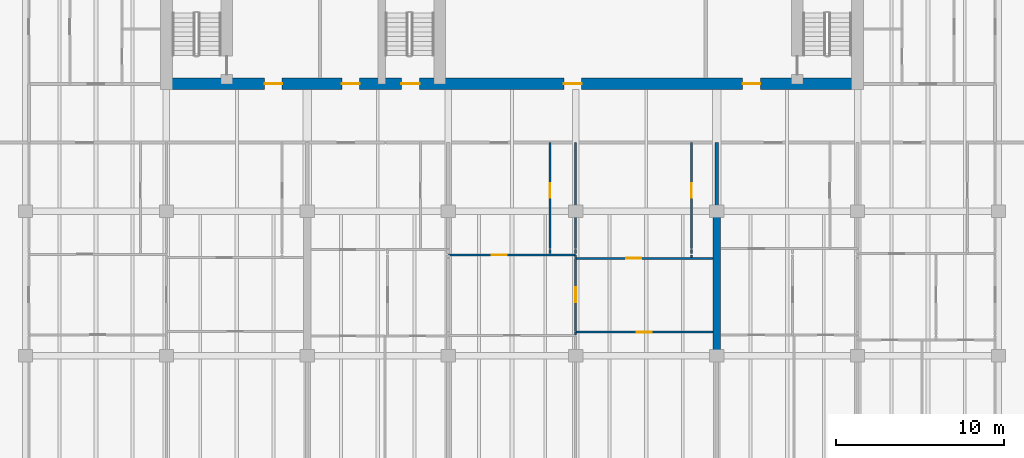
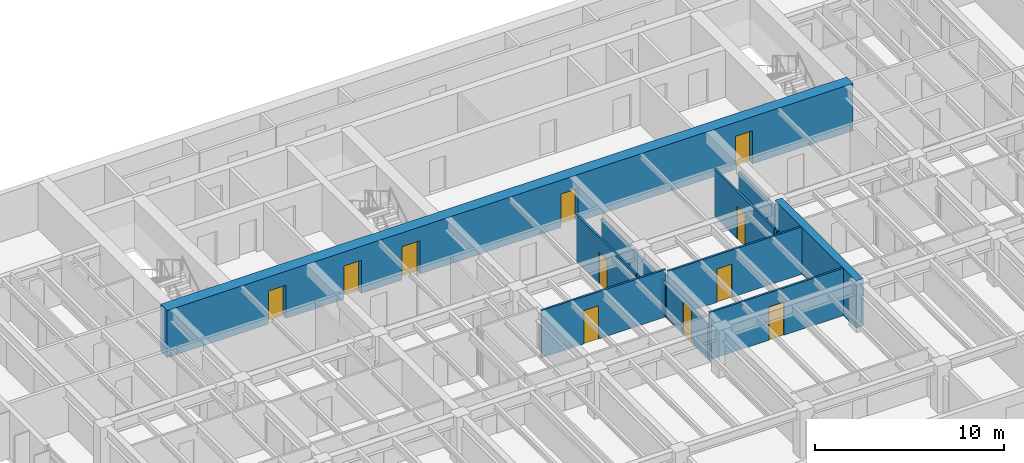
# One storey, part 11 of 19: 16 walls, 11 doors, 11 openings.
"""IFC4 building model written with IfcOpenShell, lengths in metres."""

import ifcopenshell
import ifcopenshell.guid

model = None  # the IFC model being written
_history = None  # IfcOwnerHistory: only IFC2X3 demands one
_inside = {}  # id of a spatial element -> (the spatial element, [elements in it])
_under = {}  # id of a project, library or spatial element -> (it, [spatial elements below it])
_declared = {}  # id of a project -> (the project, [libraries it declares])
_typed = {}  # id of a type object -> (the type object, [elements of that type])
_made_of = {}  # id of a material, layer set ... -> (it, [elements and type objects made of it])


def new_model(schema):
    """Start an empty IFC model of exactly this schema.

    Asked for "IFC4X3", IfcOpenShell would pick the latest addendum, in which some entities
    have other attributes; the version numbers below select the first issue.
    IFC2X3 requires an IfcOwnerHistory on every rooted entity: one is made here for all.
    """
    global model, _history
    if schema == "IFC4X3":
        model = ifcopenshell.file(schema_version=(4, 3, 0, 0))
    else:
        model = ifcopenshell.file(schema=schema)
    _inside.clear()
    _under.clear()
    _declared.clear()
    _typed.clear()
    _made_of.clear()
    _history = None
    if model.schema == "IFC2X3":
        org = make("IfcOrganization", Name="unknown")
        user = make(
            "IfcPersonAndOrganization",
            ThePerson=make("IfcPerson", FamilyName="unknown"),
            TheOrganization=org,
        )
        app = make(
            "IfcApplication",
            ApplicationDeveloper=org,
            Version="unknown",
            ApplicationFullName="unknown",
            ApplicationIdentifier="unknown",
        )
        _history = make(
            "IfcOwnerHistory",
            OwningUser=user,
            OwningApplication=app,
            ChangeAction="ADDED",
            CreationDate=0,
        )
    return model


def make(cls, **values):
    """One entity of the class cls with the attributes given. An attribute that is None is left unset."""
    return model.create_entity(
        cls, **{name: value for name, value in values.items() if value is not None}
    )


def rooted(cls, **values):
    """An entity with a GlobalId (a new one), such as an element, a storey or a relation."""
    return make(cls, GlobalId=ifcopenshell.guid.new(), OwnerHistory=_history, **values)


def si_unit(unit_type, name, prefix=None):
    """IfcSIUnit, for example si_unit("LENGTHUNIT", "METRE", prefix="MILLI")."""
    return make("IfcSIUnit", UnitType=unit_type, Prefix=prefix, Name=name)


def assignment(units):
    """IfcUnitAssignment: the units of a project."""
    return None if units is None else make("IfcUnitAssignment", Units=units)


def point(xyz):
    """IfcCartesianPoint."""
    return None if xyz is None else make("IfcCartesianPoint", Coordinates=xyz)


def direction(xyz):
    """IfcDirection."""
    return None if xyz is None else make("IfcDirection", DirectionRatios=xyz)


def frame(location, z_axis=None, x_axis=None):
    """IfcAxis2Placement3D, a coordinate frame: its origin and axes. An axis left out is left unset."""
    return make(
        "IfcAxis2Placement3D",
        Location=point(location),
        Axis=direction(z_axis),
        RefDirection=direction(x_axis),
    )


def frame_2d(location, x_axis=None):
    """IfcAxis2Placement2D, a coordinate frame in the plane: its origin and x axis."""
    return make(
        "IfcAxis2Placement2D", Location=point(location), RefDirection=direction(x_axis)
    )


def origin():
    """The frame at (0, 0, 0) with its axes left unset."""
    return frame((0.0, 0.0, 0.0))


def place(relative_to, where):
    """IfcLocalPlacement: puts the frame where relative to a parent placement (None: the world)."""
    return make(
        "IfcLocalPlacement", PlacementRelTo=relative_to, RelativePlacement=where
    )


def context(
    kind, dimensions, precision=None, world=None, true_north=None, identifier=None
):
    """IfcGeometricRepresentationContext, for example the 3D "Model" context."""
    return make(
        "IfcGeometricRepresentationContext",
        ContextIdentifier=identifier,
        ContextType=kind,
        CoordinateSpaceDimension=dimensions,
        Precision=precision,
        WorldCoordinateSystem=world,
        TrueNorth=true_north,
    )


def subcontext(parent, identifier, kind, view, scale=None):
    """IfcGeometricRepresentationSubContext, for example "Body" below "Model"."""
    return make(
        "IfcGeometricRepresentationSubContext",
        ContextIdentifier=identifier,
        ContextType=kind,
        ParentContext=parent,
        TargetScale=scale,
        TargetView=view,
    )


def project(units=None, contexts=None):
    """IfcProject with its units and contexts."""
    return rooted(
        "IfcProject",
        Name="project",
        RepresentationContexts=contexts,
        UnitsInContext=assignment(units),
    )


def spatial(cls, under=None, at=None, **own):
    """A site, building, storey or space (cls), placed at a placement, below another one or the project."""
    s = rooted(cls, ObjectPlacement=at, **own)
    if under is not None:
        _under.setdefault(under.id(), (under, []))[1].append(s)
    return s


def profile(cls, at=None, kind="AREA", **sizes):
    """A parametric profile (cls). Its sizes go by their IFC names, for example OverallWidth=200.0."""
    return make(cls, ProfileType=kind, Position=at, **sizes)


def rectangle(**sizes):
    """IfcRectangleProfileDef."""
    return profile("IfcRectangleProfileDef", **sizes)


def extrude(swept, where, along, depth):
    """IfcExtrudedAreaSolid: the profile swept, set in the frame where, extruded along a direction by depth."""
    return make(
        "IfcExtrudedAreaSolid",
        SweptArea=swept,
        Position=where,
        ExtrudedDirection=direction(along),
        Depth=depth,
    )


def shape(context_of_items, identifier, shape_type, items):
    """IfcShapeRepresentation: the items that make up one representation, for example the "Body"."""
    return make(
        "IfcShapeRepresentation",
        ContextOfItems=context_of_items,
        RepresentationIdentifier=identifier,
        RepresentationType=shape_type,
        Items=items,
    )


def material(Name=None, Category=None):
    """IfcMaterial."""
    return make("IfcMaterial", Name=Name, Category=Category)


def layer(
    of_material, thickness, ventilated=None, Name=None, Category=None, Priority=None
):
    """IfcMaterialLayer: one layer of a wall or slab, of a material (None: an air gap)."""
    return make(
        "IfcMaterialLayer",
        Material=of_material,
        LayerThickness=thickness,
        IsVentilated=ventilated,
        Name=Name,
        Category=Category,
        Priority=Priority,
    )


def layer_set(layers, Name=None):
    """IfcMaterialLayerSet."""
    return make("IfcMaterialLayerSet", MaterialLayers=layers, LayerSetName=Name)


def made_of(thing, what):
    """Note that an element or type object is made of a material, layer set ...; save() writes the relation."""
    if what is not None:
        _made_of.setdefault(what.id(), (what, []))[1].append(thing)
    return thing


def type_object(cls, material=None, **own):
    """A type object (cls), such as IfcWallType, which elements share."""
    return made_of(rooted(cls, **own), material)


def element(
    cls,
    number,
    at=None,
    inside=None,
    cuts=None,
    type_object=None,
    material=None,
    context=None,
    identifier="Body",
    shape_type=None,
    held_by="IfcProductDefinitionShape",
    body=None,
    shapes=None,
    **own,
):
    """One element of the class cls, such as IfcWall. Its Tag is "e" and its number.

    at: its placement. inside: the storey or other place that contains it. cuts: it is an
    opening in that element (IfcRelVoidsElement). A single representation is given by context,
    identifier, shape_type and body (its items); several are given by shapes. held_by: the class
    of the entity that holds the representations. save() writes the other relations.
    """
    e = rooted(cls, Tag="e%d" % number, ObjectPlacement=at, **own)
    if body is not None:
        shapes = [shape(context, identifier, shape_type, body)]
    if shapes is not None:
        e.Representation = make(held_by, Representations=shapes)
    if inside is not None:
        _inside.setdefault(inside.id(), (inside, []))[1].append(e)
    if cuts is not None:
        rooted(
            "IfcRelVoidsElement", RelatingBuildingElement=cuts, RelatedOpeningElement=e
        )
    if type_object is not None:
        _typed.setdefault(type_object.id(), (type_object, []))[1].append(e)
    return made_of(e, material)


def fill(opening, filler):
    """IfcRelFillsElement: the door or window that sits in an opening."""
    return rooted(
        "IfcRelFillsElement",
        RelatingOpeningElement=opening,
        RelatedBuildingElement=filler,
    )


def aggregate(whole, parts):
    """IfcRelAggregates: a whole, such as a stair, and the parts it consists of."""
    return rooted("IfcRelAggregates", RelatingObject=whole, RelatedObjects=parts)


def save(model, path):
    """Write the relations noted so far, then the file.

    IfcRelAggregates (storeys below a building ...), IfcRelContainedInSpatialStructure (elements
    in a storey), IfcRelDefinesByType, IfcRelAssociatesMaterial and IfcRelDeclares: one each for
    every whole, place, type object, material and project.
    """
    for whole, parts in _under.values():
        aggregate(whole, parts)
    for where, things in _inside.values():
        rooted(
            "IfcRelContainedInSpatialStructure",
            RelatedElements=things,
            RelatingStructure=where,
        )
    for kind, things in _typed.values():
        rooted("IfcRelDefinesByType", RelatedObjects=things, RelatingType=kind)
    for what, things in _made_of.values():
        rooted("IfcRelAssociatesMaterial", RelatedObjects=things, RelatingMaterial=what)
    for by, libraries in _declared.values():
        rooted("IfcRelDeclares", RelatingContext=by, RelatedDefinitions=libraries)
    model.write(path)


model = new_model("IFC4")

# Units and contexts
model_context = context("Model", 3, precision=1e-05, world=origin(), true_north=direction((0.0, 1.0)))
body_context = subcontext(model_context, "Body", "Model", "MODEL_VIEW")
ifc_project = project(units=[si_unit("LENGTHUNIT", "METRE"), si_unit("AREAUNIT", "SQUARE_METRE"), si_unit("VOLUMEUNIT", "CUBIC_METRE"), si_unit("PLANEANGLEUNIT", "RADIAN"), si_unit("MASSUNIT", "GRAM", prefix="KILO")], contexts=[model_context])

# Site, building, storey
site_placement = place(None, origin())
site = spatial("IfcSite", under=ifc_project, at=site_placement, CompositionType="ELEMENT")
building_placement = place(site_placement, origin())
building = spatial("IfcBuilding", under=site, at=building_placement, Name="Caelmar Bay Residences", CompositionType="ELEMENT")
storey_placement = place(building_placement, frame((0.0, 0.0, 191.699951171875)))
storey = spatial("IfcBuildingStorey", under=building, at=storey_placement, Name="L53", CompositionType="ELEMENT", Elevation=191.699951171875)

# Wall, openings, doors
ifc_material_1 = material(Name="Concrete f'c 55 MPa (8,000 psi)", Category="concrete")
ifc_layer_1 = layer(ifc_material_1, 0.699951171875)
ifc_layer_set_1 = layer_set([ifc_layer_1], Name="Concrete f'c 55 MPa (8,000 psi)")
wall_type_1 = type_object("IfcWallType", Name="SW-COR-700", PredefinedType="SHEAR", material=ifc_layer_set_1)
wall_1_placement = place(storey_placement, frame((17.949951171875, 37.0, 0.0), z_axis=(0.0, 0.0, 1.0), x_axis=(1.0, 0.0, 0.0)))
wall_1 = element("IfcWall", 1, at=wall_1_placement, inside=storey, type_object=wall_type_1, Name="L53 Rear Core South Shear Wall", PredefinedType="SHEAR", context=body_context, shape_type="SweptSolid", body=[
    extrude(rectangle(XDim=41.900146484375, YDim=0.699951171875, at=frame_2d((20.9501953125, 0.0))), origin(), (0.0, 0.0, 1.0), 3.050048828125),
])
opening_1_placement = place(wall_1_placement, frame((14.35009765625, 0.0, 0.0)))
opening_1 = element("IfcOpeningElement", 2, at=opening_1_placement, cuts=wall_1, Name="Opening D-L53-105", PredefinedType="OPENING", context=body_context, shape_type="SweptSolid", body=[
    extrude(rectangle(XDim=1.10009765625, YDim=2.14990234375, at=frame_2d((0.550048828125, 1.074951171875))), frame((0.0, 0.35986328125, 0.0), z_axis=(0.0, -1.0, 0.0), x_axis=(1.0, 0.0, 0.0)), (0.0, 0.0, 1.0), 0.719970703125),
])
opening_2_placement = place(wall_1_placement, frame((6.199951171875, 0.0, 0.0)))
opening_2 = element("IfcOpeningElement", 3, at=opening_2_placement, cuts=wall_1, Name="Opening D-L53-106", PredefinedType="OPENING", context=body_context, shape_type="SweptSolid", body=[
    extrude(rectangle(XDim=1.050048828125, YDim=2.14990234375, at=frame_2d((0.52490234375, 1.074951171875))), frame((0.0, 0.35986328125, 0.0), z_axis=(0.0, -1.0, 0.0), x_axis=(1.0, 0.0, 0.0)), (0.0, 0.0, 1.0), 0.719970703125),
])
opening_3_placement = place(wall_1_placement, frame((34.699951171875, 0.0, 0.0)))
opening_3 = element("IfcOpeningElement", 4, at=opening_3_placement, cuts=wall_1, Name="Opening D-L53-109", PredefinedType="OPENING", context=body_context, shape_type="SweptSolid", body=[
    extrude(rectangle(XDim=1.050048828125, YDim=2.14990234375, at=frame_2d((0.52490234375, 1.074951171875))), frame((0.0, 0.35986328125, 0.0), z_axis=(0.0, -1.0, 0.0), x_axis=(1.0, 0.0, 0.0)), (0.0, 0.0, 1.0), 0.719970703125),
])
opening_4_placement = place(wall_1_placement, frame((10.8125, 0.0, 0.0)))
opening_4 = element("IfcOpeningElement", 5, at=opening_4_placement, cuts=wall_1, Name="Opening D-L53-112", PredefinedType="OPENING", context=body_context, shape_type="SweptSolid", body=[
    extrude(rectangle(XDim=1.050048828125, YDim=2.14990234375, at=frame_2d((0.52490234375, 1.074951171875))), frame((0.0, 0.35986328125, 0.0), z_axis=(0.0, -1.0, 0.0), x_axis=(1.0, 0.0, 0.0)), (0.0, 0.0, 1.0), 0.719970703125),
])
opening_5_placement = place(wall_1_placement, frame((24.050048828125, 0.0, 0.0)))
opening_5 = element("IfcOpeningElement", 6, at=opening_5_placement, cuts=wall_1, Name="Opening D-L53-113", PredefinedType="OPENING", context=body_context, shape_type="SweptSolid", body=[
    extrude(rectangle(XDim=1.050048828125, YDim=2.14990234375, at=frame_2d((0.52490234375, 1.074951171875))), frame((0.0, 0.35986328125, 0.0), z_axis=(0.0, -1.0, 0.0), x_axis=(1.0, 0.0, 0.0)), (0.0, 0.0, 1.0), 0.719970703125),
])
ifc_material_2 = material(Name="Fire-rated steel and walnut architectural door assembly", Category="steel")
ifc_layer_2 = layer(ifc_material_2, 0.050048828125)
ifc_layer_set_2 = layer_set([ifc_layer_2], Name="Fire-rated steel and walnut architectural door assembly")
door_type_1 = type_object("IfcDoorType", Name="D-FSAE-1050", OperationType="NOTDEFINED", PredefinedType="DOOR", material=ifc_layer_set_2)
door_1_placement = place(opening_2_placement, origin())
door_1 = element("IfcDoor", 7, at=door_1_placement, inside=storey, type_object=door_type_1, Name="L53 Firefighting Lobby West Door", OperationType="SINGLE_SWING_RIGHT", OverallHeight=2.14990234375, OverallWidth=1.050048828125, PredefinedType="DOOR", context=body_context, shape_type="SweptSolid", body=[
    extrude(rectangle(XDim=1.050048828125, YDim=2.14990234375, at=frame_2d((0.52490234375, 1.074951171875))), frame((0.0, 0.02490234375, 0.0), z_axis=(0.0, -1.0, 0.0), x_axis=(1.0, 0.0, 0.0)), (0.0, 0.0, 1.0), 0.050048828125),
])
fill(opening_2, door_1)
door_2_placement = place(opening_3_placement, origin())
door_2 = element("IfcDoor", 8, at=door_2_placement, inside=storey, type_object=door_type_1, Name="L53 Firefighting Lobby East Door", OperationType="SINGLE_SWING_LEFT", OverallHeight=2.14990234375, OverallWidth=1.050048828125, PredefinedType="DOOR", context=body_context, shape_type="SweptSolid", body=[
    extrude(rectangle(XDim=1.050048828125, YDim=2.14990234375, at=frame_2d((0.52490234375, 1.074951171875))), frame((0.0, 0.02490234375, 0.0), z_axis=(0.0, -1.0, 0.0), x_axis=(1.0, 0.0, 0.0)), (0.0, 0.0, 1.0), 0.050048828125),
])
fill(opening_3, door_2)
door_3_placement = place(opening_4_placement, origin())
door_3 = element("IfcDoor", 9, at=door_3_placement, inside=storey, type_object=door_type_1, Name="L53 West Lift Lobby Door", OperationType="SINGLE_SWING_RIGHT", OverallHeight=2.14990234375, OverallWidth=1.050048828125, PredefinedType="DOOR", context=body_context, shape_type="SweptSolid", body=[
    extrude(rectangle(XDim=1.050048828125, YDim=2.14990234375, at=frame_2d((0.52490234375, 1.074951171875))), frame((0.0, 0.02490234375, 0.0), z_axis=(0.0, -1.0, 0.0), x_axis=(1.0, 0.0, 0.0)), (0.0, 0.0, 1.0), 0.050048828125),
])
fill(opening_4, door_3)
door_4_placement = place(opening_5_placement, origin())
door_4 = element("IfcDoor", 10, at=door_4_placement, inside=storey, type_object=door_type_1, Name="L53 Passenger Lift Lobby Door", OperationType="SINGLE_SWING_LEFT", OverallHeight=2.14990234375, OverallWidth=1.050048828125, PredefinedType="DOOR", context=body_context, shape_type="SweptSolid", body=[
    extrude(rectangle(XDim=1.050048828125, YDim=2.14990234375, at=frame_2d((0.52490234375, 1.074951171875))), frame((0.0, 0.02490234375, 0.0), z_axis=(0.0, -1.0, 0.0), x_axis=(1.0, 0.0, 0.0)), (0.0, 0.0, 1.0), 0.050048828125),
])
fill(opening_5, door_4)
ifc_layer_3 = layer(ifc_material_2, 0.050048828125)
ifc_layer_set_3 = layer_set([ifc_layer_3], Name="Fire-rated steel and walnut architectural door assembly")
door_type_2 = type_object("IfcDoorType", Name="D-STAIR-1100", OperationType="NOTDEFINED", PredefinedType="DOOR", material=ifc_layer_set_3)
door_5_placement = place(opening_1_placement, origin())
door_5 = element("IfcDoor", 11, at=door_5_placement, inside=storey, type_object=door_type_2, Name="L53 Exit Stair ST3 Door", OperationType="SINGLE_SWING_LEFT", OverallHeight=2.14990234375, OverallWidth=1.10009765625, PredefinedType="DOOR", context=body_context, shape_type="SweptSolid", body=[
    extrude(rectangle(XDim=1.10009765625, YDim=2.14990234375, at=frame_2d((0.550048828125, 1.074951171875))), frame((0.0, 0.02490234375, 0.0), z_axis=(0.0, -1.0, 0.0), x_axis=(1.0, 0.0, 0.0)), (0.0, 0.0, 1.0), 0.050048828125),
])
fill(opening_1, door_5)

# Walls
ifc_layer_4 = layer(ifc_material_1, 0.449951171875)
ifc_layer_set_4 = layer_set([ifc_layer_4], Name="Concrete f'c 55 MPa (8,000 psi)")
wall_type_2 = type_object("IfcWallType", Name="SW-XSLB-450", PredefinedType="SHEAR", material=ifc_layer_set_4)
wall_2_placement = place(storey_placement, frame((51.10009765625, 20.800048828125, 0.0), z_axis=(0.0, 0.0, 1.0), x_axis=(0.0, 1.0, 0.0)))
element("IfcWall", 12, at=wall_2_placement, inside=storey, type_object=wall_type_2, Name="L53 Transverse Cross-Slab Shear Wall E8", PredefinedType="SHEAR", context=body_context, shape_type="SweptSolid", body=[
    extrude(rectangle(XDim=8.599853515625, YDim=0.449951171875, at=frame_2d((4.2998046875, 0.0))), origin(), (0.0, 0.0, 1.0), 3.050048828125),
])
ifc_material_3 = material(Name="Acoustic metal-stud gypsum partition 120 mm")
ifc_layer_5 = layer(ifc_material_3, 0.1201171875)
ifc_layer_set_5 = layer_set([ifc_layer_5], Name="Acoustic metal-stud gypsum partition 120 mm")
wall_type_3 = type_object("IfcWallType", Name="W-PRT-120", PredefinedType="PARTITIONING", material=ifc_layer_set_5)
wall_3_placement = place(storey_placement, frame((41.1630859375, 26.8798828125, 0.0), z_axis=(0.0, 0.0, 1.0), x_axis=(0.0, 1.0, 0.0)))
element("IfcWall", 13, at=wall_3_placement, inside=storey, type_object=wall_type_3, Name="L53 Partition Wall V048", PredefinedType="PARTITIONING", context=body_context, shape_type="SweptSolid", body=[
    extrude(rectangle(XDim=0.240234375, YDim=0.1201171875, at=frame_2d((0.1201171875, 0.0))), origin(), (0.0, 0.0, 1.0), 3.050048828125),
])

# Wall, opening, door
wall_4_placement = place(storey_placement, frame((41.1630859375, 27.179931640625, 0.0), z_axis=(0.0, 0.0, 1.0), x_axis=(0.0, 1.0, 0.0)))
wall_4 = element("IfcWall", 14, at=wall_4_placement, inside=storey, type_object=wall_type_3, Name="L53 Partition Wall V049", PredefinedType="PARTITIONING", context=body_context, shape_type="SweptSolid", body=[
    extrude(rectangle(XDim=6.320068359375, YDim=0.1201171875, at=frame_2d((3.16015625, 0.0))), origin(), (0.0, 0.0, 1.0), 3.050048828125),
])
opening_6_placement = place(wall_4_placement, frame((3.034912109375, 0.0, 0.0)))
opening_6 = element("IfcOpeningElement", 15, at=opening_6_placement, cuts=wall_4, Name="Opening D-L53-140", PredefinedType="OPENING", context=body_context, shape_type="SweptSolid", body=[
    extrude(rectangle(XDim=0.85009765625, YDim=2.10009765625, at=frame_2d((0.425048828125, 1.050048828125))), frame((0.0, 0.070068359375, 0.0), z_axis=(0.0, -1.0, 0.0), x_axis=(1.0, 0.0, 0.0)), (0.0, 0.0, 1.0), 0.14013671875),
])
ifc_material_4 = material(Name="Solid walnut timber interior door leaf and frame", Category="wood")
ifc_layer_6 = layer(ifc_material_4, 0.050048828125)
ifc_layer_set_6 = layer_set([ifc_layer_6], Name="Solid walnut timber interior door leaf and frame")
door_type_3 = type_object("IfcDoorType", Name="D-BATH-850", OperationType="NOTDEFINED", PredefinedType="DOOR", material=ifc_layer_set_6)
door_6_placement = place(opening_6_placement, origin())
door_6 = element("IfcDoor", 16, at=door_6_placement, inside=storey, type_object=door_type_3, Name="L53 Residence 03 Guest Bathroom Door", OperationType="SINGLE_SWING_RIGHT", OverallHeight=2.10009765625, OverallWidth=0.85009765625, PredefinedType="DOOR", context=body_context, shape_type="SweptSolid", body=[
    extrude(rectangle(XDim=0.85009765625, YDim=2.10009765625, at=frame_2d((0.425048828125, 1.050048828125))), frame((0.0, 0.02490234375, 0.0), z_axis=(0.0, -1.0, 0.0), x_axis=(1.0, 0.0, 0.0)), (0.0, 0.0, 1.0), 0.050048828125),
])
fill(opening_6, door_6)

# Wall
wall_5_placement = place(storey_placement, frame((42.699951171875, 22.0400390625, 0.0), z_axis=(0.0, 0.0, 1.0), x_axis=(0.0, 1.0, 0.0)))
element("IfcWall", 17, at=wall_5_placement, inside=storey, type_object=wall_type_3, Name="L53 Partition Wall V053", PredefinedType="PARTITIONING", context=body_context, shape_type="SweptSolid", body=[
    extrude(rectangle(XDim=0.159912109375, YDim=0.1201171875, at=frame_2d((0.080078125, 0.0))), origin(), (0.0, 0.0, 1.0), 2.262939453125),
])

# Wall, opening, door
wall_6_placement = place(storey_placement, frame((42.699951171875, 22.239990234375, 0.0), z_axis=(0.0, 0.0, 1.0), x_axis=(0.0, 1.0, 0.0)))
wall_6 = element("IfcWall", 18, at=wall_6_placement, inside=storey, type_object=wall_type_3, Name="L53 Partition Wall V054", PredefinedType="PARTITIONING", context=body_context, shape_type="SweptSolid", body=[
    extrude(rectangle(XDim=4.360107421875, YDim=0.1201171875, at=frame_2d((2.18017578125, 0.0))), origin(), (0.0, 0.0, 1.0), 2.262939453125),
])
opening_7_placement = place(wall_6_placement, frame((1.72998046875, 0.0, 0.0)))
opening_7 = element("IfcOpeningElement", 19, at=opening_7_placement, cuts=wall_6, Name="Opening D-L53-143", PredefinedType="OPENING", context=body_context, shape_type="SweptSolid", body=[
    extrude(rectangle(XDim=0.89990234375, YDim=2.14990234375, at=frame_2d((0.449951171875, 1.074951171875))), frame((0.0, 0.070068359375, 0.0), z_axis=(0.0, -1.0, 0.0), x_axis=(1.0, 0.0, 0.0)), (0.0, 0.0, 1.0), 0.14013671875),
])
ifc_layer_7 = layer(ifc_material_4, 0.050048828125)
ifc_layer_set_7 = layer_set([ifc_layer_7], Name="Solid walnut timber interior door leaf and frame")
door_type_4 = type_object("IfcDoorType", Name="D-ROOM-900", OperationType="NOTDEFINED", PredefinedType="DOOR", material=ifc_layer_set_7)
door_7_placement = place(opening_7_placement, origin())
door_7 = element("IfcDoor", 20, at=door_7_placement, inside=storey, type_object=door_type_4, Name="L53 Residence 03 Conference Study 1 Door", OperationType="SINGLE_SWING_LEFT", OverallHeight=2.14990234375, OverallWidth=0.89990234375, PredefinedType="DOOR", context=body_context, shape_type="SweptSolid", body=[
    extrude(rectangle(XDim=0.89990234375, YDim=2.14990234375, at=frame_2d((0.449951171875, 1.074951171875))), frame((0.0, 0.02490234375, 0.0), z_axis=(0.0, -1.0, 0.0), x_axis=(1.0, 0.0, 0.0)), (0.0, 0.0, 1.0), 0.050048828125),
])
fill(opening_7, door_7)

# Walls
wall_7_placement = place(storey_placement, frame((42.699951171875, 26.639892578125, 0.0), z_axis=(0.0, 0.0, 1.0), x_axis=(0.0, 1.0, 0.0)))
element("IfcWall", 21, at=wall_7_placement, inside=storey, type_object=wall_type_3, Name="L53 Partition Wall V055", PredefinedType="PARTITIONING", context=body_context, shape_type="SweptSolid", body=[
    extrude(rectangle(XDim=0.16015625, YDim=0.1201171875, at=frame_2d((0.080078125, 0.0))), origin(), (0.0, 0.0, 1.0), 2.262939453125),
])
wall_8_placement = place(storey_placement, frame((42.699951171875, 26.8798828125, 0.0), z_axis=(0.0, 0.0, 1.0), x_axis=(0.0, 1.0, 0.0)))
element("IfcWall", 22, at=wall_8_placement, inside=storey, type_object=wall_type_3, Name="L53 Partition Wall V056", PredefinedType="PARTITIONING", context=body_context, shape_type="SweptSolid", body=[
    extrude(rectangle(XDim=0.240234375, YDim=0.1201171875, at=frame_2d((0.1201171875, 0.0))), origin(), (0.0, 0.0, 1.0), 2.262939453125),
])
wall_9_placement = place(storey_placement, frame((42.699951171875, 27.179931640625, 0.0), z_axis=(0.0, 0.0, 1.0), x_axis=(0.0, 1.0, 0.0)))
element("IfcWall", 23, at=wall_9_placement, inside=storey, type_object=wall_type_3, Name="L53 Partition Wall V057", PredefinedType="PARTITIONING", context=body_context, shape_type="SweptSolid", body=[
    extrude(rectangle(XDim=6.320068359375, YDim=0.1201171875, at=frame_2d((3.16015625, 0.0))), origin(), (0.0, 0.0, 1.0), 2.262939453125),
])
wall_10_placement = place(storey_placement, frame((49.60009765625, 26.639892578125, 0.0), z_axis=(0.0, 0.0, 1.0), x_axis=(0.0, 1.0, 0.0)))
element("IfcWall", 24, at=wall_10_placement, inside=storey, type_object=wall_type_3, Name="L53 Partition Wall V060", PredefinedType="PARTITIONING", context=body_context, shape_type="SweptSolid", body=[
    extrude(rectangle(XDim=0.16015625, YDim=0.1201171875, at=frame_2d((0.080078125, 0.0))), origin(), (0.0, 0.0, 1.0), 3.050048828125),
])
wall_11_placement = place(storey_placement, frame((49.60009765625, 26.8798828125, 0.0), z_axis=(0.0, 0.0, 1.0), x_axis=(0.0, 1.0, 0.0)))
element("IfcWall", 25, at=wall_11_placement, inside=storey, type_object=wall_type_3, Name="L53 Partition Wall V061", PredefinedType="PARTITIONING", context=body_context, shape_type="SweptSolid", body=[
    extrude(rectangle(XDim=0.240234375, YDim=0.1201171875, at=frame_2d((0.1201171875, 0.0))), origin(), (0.0, 0.0, 1.0), 3.050048828125),
])

# Wall, opening, door
wall_12_placement = place(storey_placement, frame((49.60009765625, 27.179931640625, 0.0), z_axis=(0.0, 0.0, 1.0), x_axis=(0.0, 1.0, 0.0)))
wall_12 = element("IfcWall", 26, at=wall_12_placement, inside=storey, type_object=wall_type_3, Name="L53 Partition Wall V062", PredefinedType="PARTITIONING", context=body_context, shape_type="SweptSolid", body=[
    extrude(rectangle(XDim=6.320068359375, YDim=0.1201171875, at=frame_2d((3.16015625, 0.0))), origin(), (0.0, 0.0, 1.0), 3.050048828125),
])
opening_8_placement = place(wall_12_placement, frame((3.034912109375, 0.0, 0.0)))
opening_8 = element("IfcOpeningElement", 27, at=opening_8_placement, cuts=wall_12, Name="Opening D-L53-145", PredefinedType="OPENING", context=body_context, shape_type="SweptSolid", body=[
    extrude(rectangle(XDim=0.85009765625, YDim=2.10009765625, at=frame_2d((0.425048828125, 1.050048828125))), frame((0.0, 0.070068359375, 0.0), z_axis=(0.0, -1.0, 0.0), x_axis=(1.0, 0.0, 0.0)), (0.0, 0.0, 1.0), 0.14013671875),
])
door_8_placement = place(opening_8_placement, origin())
door_8 = element("IfcDoor", 28, at=door_8_placement, inside=storey, type_object=door_type_3, Name="L53 Residence 03 En-Suite Bathroom 1 Door", OperationType="SINGLE_SWING_LEFT", OverallHeight=2.10009765625, OverallWidth=0.85009765625, PredefinedType="DOOR", context=body_context, shape_type="SweptSolid", body=[
    extrude(rectangle(XDim=0.85009765625, YDim=2.10009765625, at=frame_2d((0.425048828125, 1.050048828125))), frame((0.0, 0.02490234375, 0.0), z_axis=(0.0, -1.0, 0.0), x_axis=(1.0, 0.0, 0.0)), (0.0, 0.0, 1.0), 0.050048828125),
])
fill(opening_8, door_8)

wall_13_placement = place(storey_placement, frame((42.705078125, 22.199951171875, 0.0), z_axis=(0.0, 0.0, 1.0), x_axis=(1.0, 0.0, 0.0)))
wall_13 = element("IfcWall", 29, at=wall_13_placement, inside=storey, type_object=wall_type_3, Name="L53 Partition Wall H113", PredefinedType="PARTITIONING", context=body_context, shape_type="SweptSolid", body=[
    extrude(rectangle(XDim=8.1748046875, YDim=0.1201171875, at=frame_2d((4.08740234375, 0.0))), origin(), (0.0, 0.0, 1.0), 3.050048828125),
])
opening_9_placement = place(wall_13_placement, frame((3.637451171875, 0.0, 0.0)))
opening_9 = element("IfcOpeningElement", 30, at=opening_9_placement, cuts=wall_13, Name="Opening D-L53-146", PredefinedType="OPENING", context=body_context, shape_type="SweptSolid", body=[
    extrude(rectangle(XDim=0.89990234375, YDim=2.14990234375, at=frame_2d((0.449951171875, 1.074951171875))), frame((0.0, 0.070068359375, 0.0), z_axis=(0.0, -1.0, 0.0), x_axis=(1.0, 0.0, 0.0)), (0.0, 0.0, 1.0), 0.14013671875),
])
door_9_placement = place(opening_9_placement, origin())
door_9 = element("IfcDoor", 31, at=door_9_placement, inside=storey, type_object=door_type_4, Name="L53 Residence 03 Penthouse Sitting Salon 1 Door", OperationType="SINGLE_SWING_RIGHT", OverallHeight=2.14990234375, OverallWidth=0.89990234375, PredefinedType="DOOR", context=body_context, shape_type="SweptSolid", body=[
    extrude(rectangle(XDim=0.89990234375, YDim=2.14990234375, at=frame_2d((0.449951171875, 1.074951171875))), frame((0.0, 0.02490234375, 0.0), z_axis=(0.0, -1.0, 0.0), x_axis=(1.0, 0.0, 0.0)), (0.0, 0.0, 1.0), 0.050048828125),
])
fill(opening_9, door_9)

wall_14_placement = place(storey_placement, frame((42.699951171875, 26.60009765625, 0.0), z_axis=(0.0, 0.0, 1.0), x_axis=(1.0, 0.0, 0.0)))
wall_14 = element("IfcWall", 32, at=wall_14_placement, inside=storey, type_object=wall_type_3, Name="L53 Partition Wall H115", PredefinedType="PARTITIONING", context=body_context, shape_type="SweptSolid", body=[
    extrude(rectangle(XDim=8.179931640625, YDim=0.1201171875, at=frame_2d((4.08984375, 0.0))), origin(), (0.0, 0.0, 1.0), 3.050048828125),
])
opening_10_placement = place(wall_14_placement, frame((3.0, 0.0, 0.0)))
opening_10 = element("IfcOpeningElement", 33, at=opening_10_placement, cuts=wall_14, Name="Opening D-L53-144", PredefinedType="OPENING", context=body_context, shape_type="SweptSolid", body=[
    extrude(rectangle(XDim=0.89990234375, YDim=2.14990234375, at=frame_2d((0.449951171875, 1.074951171875))), frame((0.0, 0.070068359375, 0.0), z_axis=(0.0, -1.0, 0.0), x_axis=(1.0, 0.0, 0.0)), (0.0, 0.0, 1.0), 0.14013671875),
])
door_10_placement = place(opening_10_placement, origin())
door_10 = element("IfcDoor", 34, at=door_10_placement, inside=storey, type_object=door_type_4, Name="L53 Residence 03 Private Meeting Room 1 Door", OperationType="SINGLE_SWING_RIGHT", OverallHeight=2.14990234375, OverallWidth=0.89990234375, PredefinedType="DOOR", context=body_context, shape_type="SweptSolid", body=[
    extrude(rectangle(XDim=0.89990234375, YDim=2.14990234375, at=frame_2d((0.449951171875, 1.074951171875))), frame((0.0, 0.02490234375, 0.0), z_axis=(0.0, -1.0, 0.0), x_axis=(1.0, 0.0, 0.0)), (0.0, 0.0, 1.0), 0.050048828125),
])
fill(opening_10, door_10)

wall_15_placement = place(storey_placement, frame((35.10009765625, 26.800048828125, 0.0), z_axis=(0.0, 0.0, 1.0), x_axis=(1.0, 0.0, 0.0)))
wall_15 = element("IfcWall", 35, at=wall_15_placement, inside=storey, type_object=wall_type_3, Name="L53 Partition Wall H117", PredefinedType="PARTITIONING", context=body_context, shape_type="SweptSolid", body=[
    extrude(rectangle(XDim=7.594970703125, YDim=0.1201171875, at=frame_2d((3.79736328125, 0.0))), origin(), (0.0, 0.0, 1.0), 3.050048828125),
])
opening_11_placement = place(wall_15_placement, frame((2.58154296875, 0.0, 0.0)))
opening_11 = element("IfcOpeningElement", 36, at=opening_11_placement, cuts=wall_15, Name="Opening D-L53-141", PredefinedType="OPENING", context=body_context, shape_type="SweptSolid", body=[
    extrude(rectangle(XDim=0.89990234375, YDim=2.14990234375, at=frame_2d((0.449951171875, 1.074951171875))), frame((0.0, 0.070068359375, 0.0), z_axis=(0.0, -1.0, 0.0), x_axis=(1.0, 0.0, 0.0)), (0.0, 0.0, 1.0), 0.14013671875),
])
door_11_placement = place(opening_11_placement, origin())
door_11 = element("IfcDoor", 37, at=door_11_placement, inside=storey, type_object=door_type_4, Name="L53 Residence 03 Kitchen Door", OperationType="SINGLE_SWING_LEFT", OverallHeight=2.14990234375, OverallWidth=0.89990234375, PredefinedType="DOOR", context=body_context, shape_type="SweptSolid", body=[
    extrude(rectangle(XDim=0.89990234375, YDim=2.14990234375, at=frame_2d((0.449951171875, 1.074951171875))), frame((0.0, 0.02490234375, 0.0), z_axis=(0.0, -1.0, 0.0), x_axis=(1.0, 0.0, 0.0)), (0.0, 0.0, 1.0), 0.050048828125),
])
fill(opening_11, door_11)

# Wall
ifc_material_5 = material(Name="Acoustic twin-stud fire-rated inter-tenancy partition 200 mm")
ifc_layer_8 = layer(ifc_material_5, 0.199951171875)
ifc_layer_set_8 = layer_set([ifc_layer_8], Name="Acoustic twin-stud fire-rated inter-tenancy partition 200 mm")
wall_type_4 = type_object("IfcWallType", Name="W-PTY-200", PredefinedType="PARTITIONING", material=ifc_layer_set_8)
wall_16_placement = place(storey_placement, frame((51.10009765625, 29.405029296875, 0.0), z_axis=(0.0, 0.0, 1.0), x_axis=(0.0, 1.0, 0.0)))
element("IfcWall", 38, at=wall_16_placement, inside=storey, type_object=wall_type_4, Name="L53 Partition Wall V067", PredefinedType="PARTITIONING", context=body_context, shape_type="SweptSolid", body=[
    extrude(rectangle(XDim=4.094970703125, YDim=0.199951171875, at=frame_2d((2.04736328125, 0.0))), origin(), (0.0, 0.0, 1.0), 2.3349609375),
])

save(model, "model.ifc")
